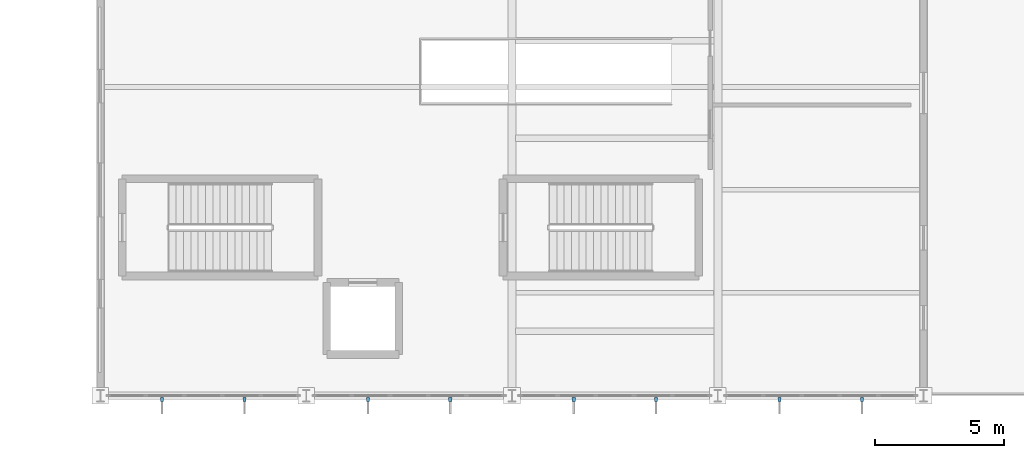
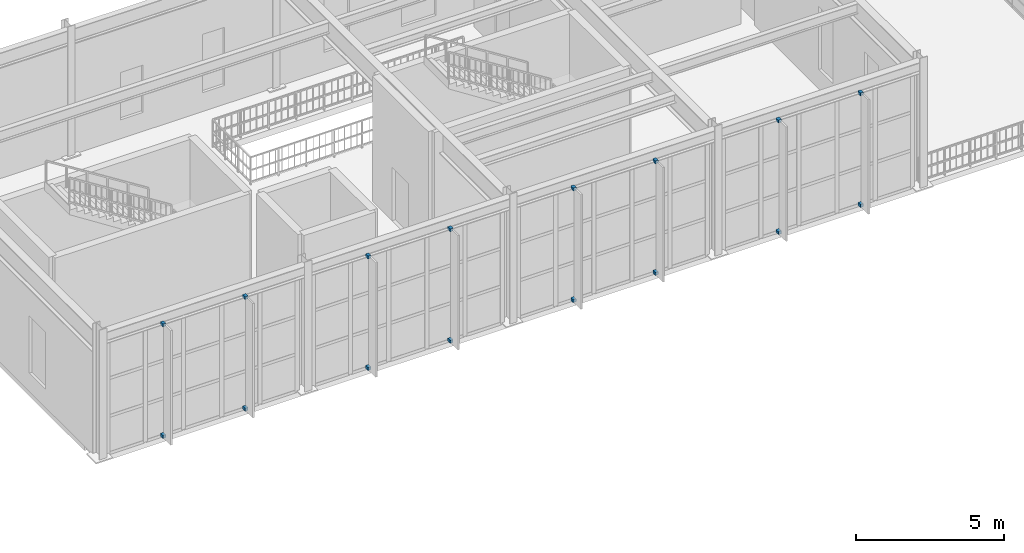
# One storey, part 72 of 82: 16 discrete accessories.
"""IFC4 building model written with IfcOpenShell, lengths in metres."""

import ifcopenshell
import ifcopenshell.guid

model = None  # the IFC model being written
_history = None  # IfcOwnerHistory: only IFC2X3 demands one
_inside = {}  # id of a spatial element -> (the spatial element, [elements in it])
_under = {}  # id of a project, library or spatial element -> (it, [spatial elements below it])
_declared = {}  # id of a project -> (the project, [libraries it declares])
_typed = {}  # id of a type object -> (the type object, [elements of that type])
_made_of = {}  # id of a material, layer set ... -> (it, [elements and type objects made of it])


def new_model(schema):
    """Start an empty IFC model of exactly this schema.

    Asked for "IFC4X3", IfcOpenShell would pick the latest addendum, in which some entities
    have other attributes; the version numbers below select the first issue.
    IFC2X3 requires an IfcOwnerHistory on every rooted entity: one is made here for all.
    """
    global model, _history
    if schema == "IFC4X3":
        model = ifcopenshell.file(schema_version=(4, 3, 0, 0))
    else:
        model = ifcopenshell.file(schema=schema)
    _inside.clear()
    _under.clear()
    _declared.clear()
    _typed.clear()
    _made_of.clear()
    _history = None
    if model.schema == "IFC2X3":
        org = make("IfcOrganization", Name="unknown")
        user = make(
            "IfcPersonAndOrganization",
            ThePerson=make("IfcPerson", FamilyName="unknown"),
            TheOrganization=org,
        )
        app = make(
            "IfcApplication",
            ApplicationDeveloper=org,
            Version="unknown",
            ApplicationFullName="unknown",
            ApplicationIdentifier="unknown",
        )
        _history = make(
            "IfcOwnerHistory",
            OwningUser=user,
            OwningApplication=app,
            ChangeAction="ADDED",
            CreationDate=0,
        )
    return model


def make(cls, **values):
    """One entity of the class cls with the attributes given. An attribute that is None is left unset."""
    return model.create_entity(
        cls, **{name: value for name, value in values.items() if value is not None}
    )


def rooted(cls, **values):
    """An entity with a GlobalId (a new one), such as an element, a storey or a relation."""
    return make(cls, GlobalId=ifcopenshell.guid.new(), OwnerHistory=_history, **values)


def si_unit(unit_type, name, prefix=None):
    """IfcSIUnit, for example si_unit("LENGTHUNIT", "METRE", prefix="MILLI")."""
    return make("IfcSIUnit", UnitType=unit_type, Prefix=prefix, Name=name)


def assignment(units):
    """IfcUnitAssignment: the units of a project."""
    return None if units is None else make("IfcUnitAssignment", Units=units)


def point(xyz):
    """IfcCartesianPoint."""
    return None if xyz is None else make("IfcCartesianPoint", Coordinates=xyz)


def direction(xyz):
    """IfcDirection."""
    return None if xyz is None else make("IfcDirection", DirectionRatios=xyz)


def frame(location, z_axis=None, x_axis=None):
    """IfcAxis2Placement3D, a coordinate frame: its origin and axes. An axis left out is left unset."""
    return make(
        "IfcAxis2Placement3D",
        Location=point(location),
        Axis=direction(z_axis),
        RefDirection=direction(x_axis),
    )


def frame_2d(location, x_axis=None):
    """IfcAxis2Placement2D, a coordinate frame in the plane: its origin and x axis."""
    return make(
        "IfcAxis2Placement2D", Location=point(location), RefDirection=direction(x_axis)
    )


def origin():
    """The frame at (0, 0, 0) with its axes left unset."""
    return frame((0.0, 0.0, 0.0))


def origin_2d():
    """The frame at (0, 0) in the plane with its x axis left unset."""
    return frame_2d((0.0, 0.0))


def place(relative_to, where):
    """IfcLocalPlacement: puts the frame where relative to a parent placement (None: the world)."""
    return make(
        "IfcLocalPlacement", PlacementRelTo=relative_to, RelativePlacement=where
    )


def context(
    kind, dimensions, precision=None, world=None, true_north=None, identifier=None
):
    """IfcGeometricRepresentationContext, for example the 3D "Model" context."""
    return make(
        "IfcGeometricRepresentationContext",
        ContextIdentifier=identifier,
        ContextType=kind,
        CoordinateSpaceDimension=dimensions,
        Precision=precision,
        WorldCoordinateSystem=world,
        TrueNorth=true_north,
    )


def subcontext(parent, identifier, kind, view, scale=None):
    """IfcGeometricRepresentationSubContext, for example "Body" below "Model"."""
    return make(
        "IfcGeometricRepresentationSubContext",
        ContextIdentifier=identifier,
        ContextType=kind,
        ParentContext=parent,
        TargetScale=scale,
        TargetView=view,
    )


def project(units=None, contexts=None):
    """IfcProject with its units and contexts."""
    return rooted(
        "IfcProject",
        Name="project",
        RepresentationContexts=contexts,
        UnitsInContext=assignment(units),
    )


def spatial(cls, under=None, at=None, **own):
    """A site, building, storey or space (cls), placed at a placement, below another one or the project."""
    s = rooted(cls, ObjectPlacement=at, **own)
    if under is not None:
        _under.setdefault(under.id(), (under, []))[1].append(s)
    return s


def profile(cls, at=None, kind="AREA", **sizes):
    """A parametric profile (cls). Its sizes go by their IFC names, for example OverallWidth=200.0."""
    return make(cls, ProfileType=kind, Position=at, **sizes)


def rectangle(**sizes):
    """IfcRectangleProfileDef."""
    return profile("IfcRectangleProfileDef", **sizes)


def extrude(swept, where, along, depth):
    """IfcExtrudedAreaSolid: the profile swept, set in the frame where, extruded along a direction by depth."""
    return make(
        "IfcExtrudedAreaSolid",
        SweptArea=swept,
        Position=where,
        ExtrudedDirection=direction(along),
        Depth=depth,
    )


def shape(context_of_items, identifier, shape_type, items):
    """IfcShapeRepresentation: the items that make up one representation, for example the "Body"."""
    return make(
        "IfcShapeRepresentation",
        ContextOfItems=context_of_items,
        RepresentationIdentifier=identifier,
        RepresentationType=shape_type,
        Items=items,
    )


def material(Name=None, Category=None):
    """IfcMaterial."""
    return make("IfcMaterial", Name=Name, Category=Category)


def made_of(thing, what):
    """Note that an element or type object is made of a material, layer set ...; save() writes the relation."""
    if what is not None:
        _made_of.setdefault(what.id(), (what, []))[1].append(thing)
    return thing


def type_object(cls, material=None, **own):
    """A type object (cls), such as IfcWallType, which elements share."""
    return made_of(rooted(cls, **own), material)


def element(
    cls,
    number,
    at=None,
    inside=None,
    cuts=None,
    type_object=None,
    material=None,
    context=None,
    identifier="Body",
    shape_type=None,
    held_by="IfcProductDefinitionShape",
    body=None,
    shapes=None,
    **own,
):
    """One element of the class cls, such as IfcWall. Its Tag is "e" and its number.

    at: its placement. inside: the storey or other place that contains it. cuts: it is an
    opening in that element (IfcRelVoidsElement). A single representation is given by context,
    identifier, shape_type and body (its items); several are given by shapes. held_by: the class
    of the entity that holds the representations. save() writes the other relations.
    """
    e = rooted(cls, Tag="e%d" % number, ObjectPlacement=at, **own)
    if body is not None:
        shapes = [shape(context, identifier, shape_type, body)]
    if shapes is not None:
        e.Representation = make(held_by, Representations=shapes)
    if inside is not None:
        _inside.setdefault(inside.id(), (inside, []))[1].append(e)
    if cuts is not None:
        rooted(
            "IfcRelVoidsElement", RelatingBuildingElement=cuts, RelatedOpeningElement=e
        )
    if type_object is not None:
        _typed.setdefault(type_object.id(), (type_object, []))[1].append(e)
    return made_of(e, material)


def aggregate(whole, parts):
    """IfcRelAggregates: a whole, such as a stair, and the parts it consists of."""
    return rooted("IfcRelAggregates", RelatingObject=whole, RelatedObjects=parts)


def save(model, path):
    """Write the relations noted so far, then the file.

    IfcRelAggregates (storeys below a building ...), IfcRelContainedInSpatialStructure (elements
    in a storey), IfcRelDefinesByType, IfcRelAssociatesMaterial and IfcRelDeclares: one each for
    every whole, place, type object, material and project.
    """
    for whole, parts in _under.values():
        aggregate(whole, parts)
    for where, things in _inside.values():
        rooted(
            "IfcRelContainedInSpatialStructure",
            RelatedElements=things,
            RelatingStructure=where,
        )
    for kind, things in _typed.values():
        rooted("IfcRelDefinesByType", RelatedObjects=things, RelatingType=kind)
    for what, things in _made_of.values():
        rooted("IfcRelAssociatesMaterial", RelatedObjects=things, RelatingMaterial=what)
    for by, libraries in _declared.values():
        rooted("IfcRelDeclares", RelatingContext=by, RelatedDefinitions=libraries)
    model.write(path)


model = new_model("IFC4")

# Units and contexts
model_context = context("Model", 3, precision=1e-05, world=origin(), true_north=direction((0.0, 1.0)))
body_context = subcontext(model_context, "Body", "Model", "MODEL_VIEW")
ifc_project = project(units=[si_unit("LENGTHUNIT", "METRE"), si_unit("AREAUNIT", "SQUARE_METRE"), si_unit("VOLUMEUNIT", "CUBIC_METRE"), si_unit("PLANEANGLEUNIT", "RADIAN"), si_unit("MASSUNIT", "GRAM", prefix="KILO")], contexts=[model_context])

# Site, building, storey
site_placement = place(None, origin())
site = spatial("IfcSite", under=ifc_project, at=site_placement, CompositionType="ELEMENT")
building_placement = place(site_placement, origin())
building = spatial("IfcBuilding", under=site, at=building_placement, Name="Serraluz Foothill Cableway Terminal", CompositionType="ELEMENT")
storey_placement = place(building_placement, frame((0.0, 0.0, 9.60009765625)))
storey = spatial("IfcBuildingStorey", under=building, at=storey_placement, Name="L02", CompositionType="ELEMENT", Elevation=9.60009765625)

# Discrete accessories
ifc_material = material(Name="Steel ASTM A572 Grade 50", Category="steel")
discrete_accessory_type = type_object("IfcDiscreteAccessoryType", Name="TYP-ACC-BRK-120", PredefinedType="BRACKET", material=ifc_material)
for number, where, z_axis, x_axis, name in (
    (1, (98.39990234375, -0.139892578125, 0.059814453125), (0.0, 0.0, 1.0), (1.0, 0.0, 0.0), "Solar Fin Fixing Bracket 0003"),
    (2, (98.39990234375, -0.139892578125, 4.659912109375), (0.0, 0.0, 1.0), (1.0, 0.0, 0.0), "Solar Fin Fixing Bracket 0004"),
    (3, (101.60009765625, -0.139892578125, 0.059814453125), (0.0, 0.0, 1.0), (1.0, 0.0, 0.0), "Solar Fin Fixing Bracket 0007"),
    (4, (101.60009765625, -0.139892578125, 4.659912109375), (0.0, 0.0, 1.0), (1.0, 0.0, 0.0), "Solar Fin Fixing Bracket 0008"),
    (5, (106.39990234375, -0.139892578125, 0.059814453125), (0.0, 0.0, 1.0), (1.0, 0.0, 0.0), "Solar Fin Fixing Bracket 0011"),
    (6, (106.39990234375, -0.139892578125, 4.659912109375), (0.0, 0.0, 1.0), (1.0, 0.0, 0.0), "Solar Fin Fixing Bracket 0012"),
    (7, (109.60009765625, -0.139892578125, 0.059814453125), (0.0, 0.0, 1.0), (1.0, 0.0, 0.0), "Solar Fin Fixing Bracket 0015"),
    (8, (109.60009765625, -0.139892578125, 4.659912109375), (0.0, 0.0, 1.0), (1.0, 0.0, 0.0), "Solar Fin Fixing Bracket 0016"),
    (9, (114.39990234375, -0.139892578125, 0.059814453125), (0.0, 0.0, 1.0), (1.0, 0.0, 0.0), "Solar Fin Fixing Bracket 0019"),
    (10, (114.39990234375, -0.139892578125, 4.659912109375), (0.0, 0.0, 1.0), (1.0, 0.0, 0.0), "Solar Fin Fixing Bracket 0020"),
    (11, (117.60009765625, -0.139892578125, 0.059814453125), (0.0, 0.0, 1.0), (1.0, 0.0, 0.0), "Solar Fin Fixing Bracket 0023"),
    (12, (117.60009765625, -0.139892578125, 4.659912109375), (0.0, 0.0, 1.0), (1.0, 0.0, 0.0), "Solar Fin Fixing Bracket 0024"),
    (13, (122.39990234375, -0.139892578125, 0.059814453125), (0.0, 0.0, 1.0), (1.0, 0.0, 0.0), "Solar Fin Fixing Bracket 0027"),
    (14, (122.39990234375, -0.139892578125, 4.659912109375), (0.0, 0.0, 1.0), (1.0, 0.0, 0.0), "Solar Fin Fixing Bracket 0028"),
    (15, (125.60009765625, -0.139892578125, 0.059814453125), (0.0, 0.0, 1.0), (1.0, 0.0, 0.0), "Solar Fin Fixing Bracket 0031"),
    (16, (125.60009765625, -0.139892578125, 4.659912109375), (0.0, 0.0, 1.0), (1.0, 0.0, 0.0), "Solar Fin Fixing Bracket 0032"),
):
    element("IfcDiscreteAccessory", number, at=place(storey_placement, frame(where, z_axis=z_axis, x_axis=x_axis)), inside=storey, type_object=discrete_accessory_type, Name=name, PredefinedType="BRACKET", context=body_context, shape_type="SweptSolid", body=[
        extrude(rectangle(XDim=0.1201171875, YDim=0.159912109375, at=origin_2d()), origin(), (0.0, 0.0, 1.0), 0.1201171875),
    ])

save(model, "model.ifc")
